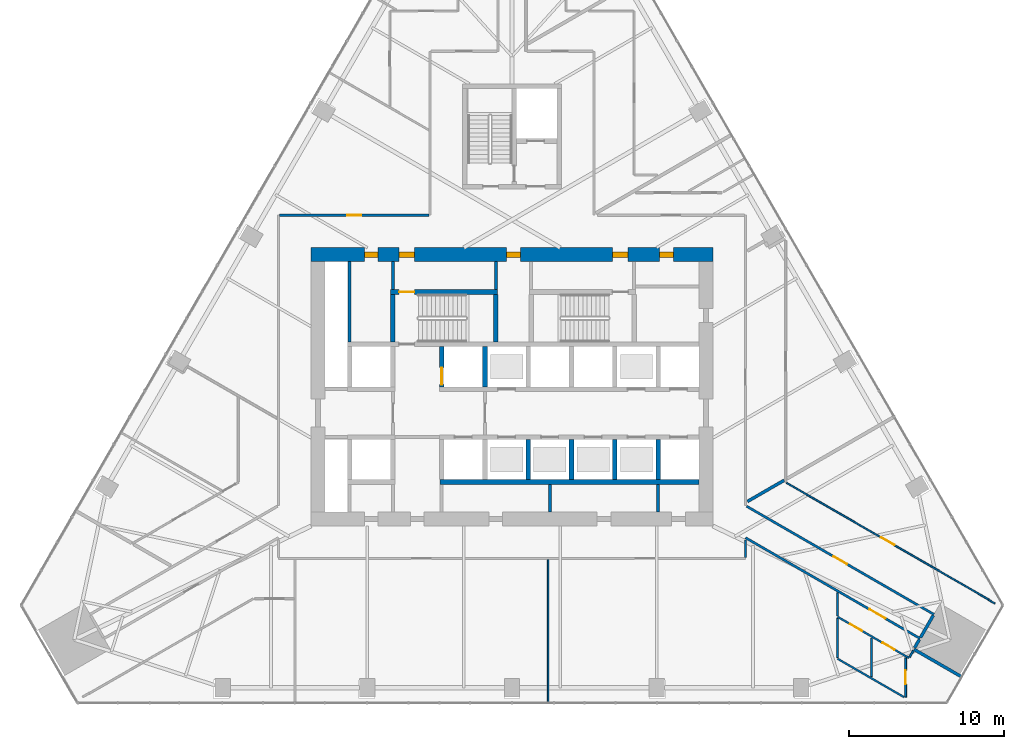
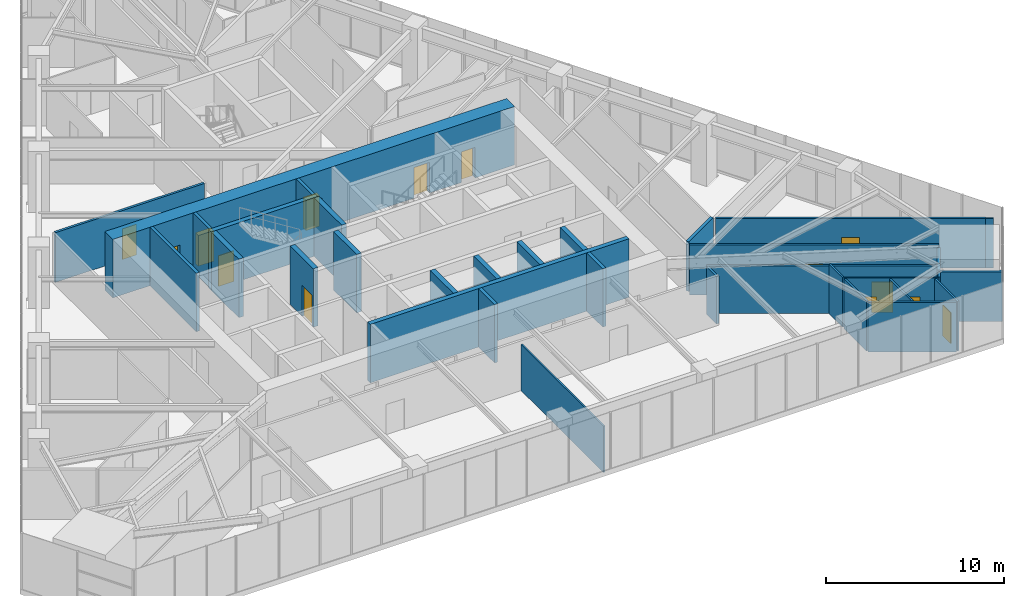
# One storey, part 14 of 19: 34 walls, 14 doors, 14 openings.
"""IFC4 building model written with IfcOpenShell, lengths in metres."""

from ifc_helpers import new_model, si_unit, direction, frame, frame_2d, origin, place, context, subcontext, project, spatial, rectangle, extrude, material, layer, layer_set, type_object, element, fill, save


model = new_model("IFC4")

# Units and contexts
model_context = context("Model", 3, precision=1e-05, world=origin(), true_north=direction((0.0, 1.0)))
body_context = subcontext(model_context, "Body", "Model", "MODEL_VIEW")
ifc_project = project(units=[si_unit("LENGTHUNIT", "METRE"), si_unit("AREAUNIT", "SQUARE_METRE"), si_unit("VOLUMEUNIT", "CUBIC_METRE"), si_unit("PLANEANGLEUNIT", "RADIAN"), si_unit("MASSUNIT", "GRAM", prefix="KILO")], contexts=[model_context])

# Site, building, storey
site_placement = place(None, origin())
site = spatial("IfcSite", under=ifc_project, at=site_placement, CompositionType="ELEMENT")
building_placement = place(site_placement, origin())
building = spatial("IfcBuilding", under=site, at=building_placement, Name="Firuza Gate Tower and Library", CompositionType="ELEMENT")
storey_placement = place(building_placement, frame((0.0, 0.0, 103.0)))
storey = spatial("IfcBuildingStorey", under=building, at=storey_placement, Name="L23", CompositionType="ELEMENT", Elevation=103.0)

# Walls
ifc_material_1 = material(Name="Plasterboard on steel studs", Category="steel")
ifc_layer_1 = layer(ifc_material_1, 0.199951171875)
ifc_layer_set_1 = layer_set([ifc_layer_1], Name="Core partition 200 EI 120")
wall_type_1 = type_object("IfcWallType", Name="Core partition 200 EI 120", PredefinedType="PARTITIONING", material=ifc_layer_set_1)
wall_1_placement = place(storey_placement, frame((64.5, 77.89990234375, 0.0), z_axis=(0.0, 0.0, 1.0), x_axis=(0.0, 1.0, 0.0)))
element("IfcWall", 1, at=wall_1_placement, inside=storey, type_object=wall_type_1, Name="Core partition L23 6", PredefinedType="PARTITIONING", context=body_context, shape_type="SweptSolid", body=[
    extrude(rectangle(XDim=5.2001953125, YDim=0.199951171875, at=frame_2d((2.60009765625, 0.0))), origin(), (0.0, 0.0, 1.0), 4.0),
])
wall_2_placement = place(storey_placement, frame((67.300048828125, 81.280029296875, 0.0), z_axis=(0.0, 0.0, 1.0), x_axis=(0.0, 1.0, 0.0)))
element("IfcWall", 2, at=wall_2_placement, inside=storey, type_object=wall_type_1, Name="Core partition L23 9", PredefinedType="PARTITIONING", context=body_context, shape_type="SweptSolid", body=[
    extrude(rectangle(XDim=1.820068359375, YDim=0.199951171875, at=frame_2d((0.91015625, 0.0))), origin(), (0.0, 0.0, 1.0), 4.0),
])
for number, where, z_axis, x_axis, name in (
    (3, (77.449951171875, 66.89990234375, 0.0), (0.0, 0.0, 1.0), (0.0, 1.0, 0.0), "Core partition L23 14"),
    (4, (84.449951171875, 66.89990234375, 0.0), (0.0, 0.0, 1.0), (0.0, 1.0, 0.0), "Core partition L23 16"),
):
    element("IfcWall", number, at=place(storey_placement, frame(where, z_axis=z_axis, x_axis=x_axis)), inside=storey, type_object=wall_type_1, Name=name, PredefinedType="PARTITIONING", context=body_context, shape_type="SweptSolid", body=[
        extrude(rectangle(XDim=1.800048828125, YDim=0.199951171875, at=frame_2d((0.89990234375, 0.0))), origin(), (0.0, 0.0, 1.0), 4.0),
    ])
ifc_material_2 = material(Name="Plasterboard on steel studs", Category="steel")
ifc_layer_2 = layer(ifc_material_2, 0.199951171875)
ifc_layer_set_2 = layer_set([ifc_layer_2], Name="Core partition 200 EI 60")
wall_type_2 = type_object("IfcWallType", Name="Core partition 200 EI 60", PredefinedType="PARTITIONING", material=ifc_layer_set_2)
wall_3_placement = place(storey_placement, frame((73.9599609375, 81.280029296875, 0.0), z_axis=(0.0, 0.0, 1.0), x_axis=(0.0, 1.0, 0.0)))
element("IfcWall", 5, at=wall_3_placement, inside=storey, type_object=wall_type_2, Name="Core partition L23 12", PredefinedType="PARTITIONING", context=body_context, shape_type="SweptSolid", body=[
    extrude(rectangle(XDim=1.820068359375, YDim=0.199951171875, at=frame_2d((0.91015625, 0.0))), origin(), (0.0, 0.0, 1.0), 4.0),
])
ifc_material_3 = material(Name="Concrete C80/95", Category="concrete")
ifc_layer_3 = layer(ifc_material_3, 0.300048828125)
ifc_layer_set_3 = layer_set([ifc_layer_3], Name="Core wall 300 C80/95")
wall_type_3 = type_object("IfcWallType", Name="Core wall 300 C80/95", PredefinedType="SHEAR", material=ifc_layer_set_3)
wall_4_placement = place(storey_placement, frame((70.35009765625, 68.85009765625, 0.0), z_axis=(0.0, 0.0, 1.0), x_axis=(1.0, 0.0, 0.0)))
element("IfcWall", 6, at=wall_4_placement, inside=storey, type_object=wall_type_3, Name="Core wall L23 6", PredefinedType="SHEAR", context=body_context, shape_type="SweptSolid", body=[
    extrude(rectangle(XDim=16.75, YDim=0.300048828125, at=frame_2d((8.375, 0.0))), origin(), (0.0, 0.0, 1.0), 4.0),
])

# Wall, opening, door
wall_5_placement = place(storey_placement, frame((70.449951171875, 75.0, 0.0), z_axis=(0.0, 0.0, 1.0), x_axis=(0.0, 1.0, 0.0)))
wall_5 = element("IfcWall", 7, at=wall_5_placement, inside=storey, type_object=wall_type_3, Name="Core wall L23 16", PredefinedType="SHEAR", context=body_context, shape_type="SweptSolid", body=[
    extrude(rectangle(XDim=2.60009765625, YDim=0.300048828125, at=frame_2d((1.300048828125, 0.0))), origin(), (0.0, 0.0, 1.0), 4.0),
])
opening_1_placement = place(wall_5_placement, frame((0.14990234375, 0.0, 0.0)))
opening_1 = element("IfcOpeningElement", 8, at=opening_1_placement, cuts=wall_5, Name="Opening LD-FF2-L23", PredefinedType="OPENING", context=body_context, shape_type="SweptSolid", body=[
    extrude(rectangle(XDim=1.10009765625, YDim=2.10009765625, at=frame_2d((0.550048828125, 1.050048828125))), frame((0.0, 0.16015625, 0.0), z_axis=(0.0, -1.0, 0.0), x_axis=(1.0, 0.0, 0.0)), (0.0, 0.0, 1.0), 0.320068359375),
])
ifc_material_4 = material(Name="Stainless steel", Category="steel")
door_type_1 = type_object("IfcDoorType", Name="Lift landing door 1100x2100", OperationType="DOUBLE_DOOR_SLIDING", PredefinedType="DOOR", material=ifc_material_4)
door_1_placement = place(opening_1_placement, origin())
door_1 = element("IfcDoor", 9, at=door_1_placement, inside=storey, type_object=door_type_1, Name="Landing door FF2 L23", OperationType="DOUBLE_DOOR_SLIDING", OverallHeight=2.10009765625, OverallWidth=1.10009765625, PredefinedType="DOOR", context=body_context, shape_type="SweptSolid", body=[
    extrude(rectangle(XDim=1.10009765625, YDim=2.10009765625, at=frame_2d((0.550048828125, 1.050048828125))), frame((0.0, 0.02490234375, 0.0), z_axis=(0.0, -1.0, 0.0), x_axis=(1.0, 0.0, 0.0)), (0.0, 0.0, 1.0), 0.050048828125),
])
fill(opening_1, door_1)

# Walls
for number, where, z_axis, x_axis, name in (
    (10, (73.25, 75.0, 0.0), (0.0, 0.0, 1.0), (0.0, 1.0, 0.0), "Core wall L23 18"),
    (11, (76.050048828125, 69.0, 0.0), (0.0, 0.0, 1.0), (0.0, 1.0, 0.0), "Core wall L23 19"),
    (12, (78.85009765625, 69.0, 0.0), (0.0, 0.0, 1.0), (0.0, 1.0, 0.0), "Core wall L23 21"),
    (13, (81.64990234375, 69.0, 0.0), (0.0, 0.0, 1.0), (0.0, 1.0, 0.0), "Core wall L23 23"),
    (14, (84.449951171875, 69.0, 0.0), (0.0, 0.0, 1.0), (0.0, 1.0, 0.0), "Core wall L23 25"),
):
    element("IfcWall", number, at=place(storey_placement, frame(where, z_axis=z_axis, x_axis=x_axis)), inside=storey, type_object=wall_type_3, Name=name, PredefinedType="SHEAR", context=body_context, shape_type="SweptSolid", body=[
        extrude(rectangle(XDim=2.60009765625, YDim=0.300048828125, at=frame_2d((1.300048828125, 0.0))), origin(), (0.0, 0.0, 1.0), 4.0),
    ])

# Wall, opening, door
wall_6_placement = place(storey_placement, frame((67.14990234375, 81.1298828125, 0.0), z_axis=(0.0, 0.0, 1.0), x_axis=(1.0, 0.0, 0.0)))
wall_6 = element("IfcWall", 15, at=wall_6_placement, inside=storey, type_object=wall_type_3, Name="Core wall L23 28", PredefinedType="SHEAR", context=body_context, shape_type="SweptSolid", body=[
    extrude(rectangle(XDim=6.91015625, YDim=0.300048828125, at=frame_2d((3.455078125, 0.0))), origin(), (0.0, 0.0, 1.0), 4.0),
])
opening_2_placement = place(wall_6_placement, frame((0.544921875, 0.0, 0.0)))
opening_2 = element("IfcOpeningElement", 16, at=opening_2_placement, cuts=wall_6, Name="Opening L23-K13", PredefinedType="OPENING", context=body_context, shape_type="SweptSolid", body=[
    extrude(rectangle(XDim=1.0, YDim=2.10009765625, at=frame_2d((0.5, 1.050048828125))), frame((0.0, 0.16015625, 0.0), z_axis=(0.0, -1.0, 0.0), x_axis=(1.0, 0.0, 0.0)), (0.0, 0.0, 1.0), 0.320068359375),
])
ifc_material_5 = material(Name="Steel", Category="steel")
door_type_2 = type_object("IfcDoorType", Name="Fire door 1000x2100 FD90", OperationType="NOTDEFINED", PredefinedType="DOOR", material=ifc_material_5)
door_2_placement = place(opening_2_placement, origin())
door_2 = element("IfcDoor", 17, at=door_2_placement, inside=storey, type_object=door_type_2, Name="Door L23-K13", OperationType="SINGLE_SWING_RIGHT", OverallHeight=2.10009765625, OverallWidth=1.0, PredefinedType="DOOR", context=body_context, shape_type="SweptSolid", body=[
    extrude(rectangle(XDim=1.0, YDim=2.10009765625, at=frame_2d((0.5, 1.050048828125))), frame((0.0, 0.02490234375, 0.0), z_axis=(0.0, -1.0, 0.0), x_axis=(1.0, 0.0, 0.0)), (0.0, 0.0, 1.0), 0.050048828125),
])
fill(opening_2, door_2)

# Walls
for number, where, z_axis, x_axis, name in (
    (18, (67.300048828125, 77.89990234375, 0.0), (0.0, 0.0, 1.0), (0.0, 1.0, 0.0), "Core wall L23 30"),
    (19, (73.9599609375, 77.89990234375, 0.0), (0.0, 0.0, 1.0), (0.0, 1.0, 0.0), "Core wall L23 31"),
):
    element("IfcWall", number, at=place(storey_placement, frame(where, z_axis=z_axis, x_axis=x_axis)), inside=storey, type_object=wall_type_3, Name=name, PredefinedType="SHEAR", context=body_context, shape_type="SweptSolid", body=[
        extrude(rectangle(XDim=3.080078125, YDim=0.300048828125, at=frame_2d((1.5400390625, 0.0))), origin(), (0.0, 0.0, 1.0), 4.0),
    ])

# Wall, openings, doors
ifc_material_6 = material(Name="Concrete C80/95", Category="concrete")
ifc_layer_4 = layer(ifc_material_6, 0.89990234375)
ifc_layer_set_4 = layer_set([ifc_layer_4], Name="Core wall 900 C80/95")
wall_type_4 = type_object("IfcWallType", Name="Core wall 900 C80/95", PredefinedType="SHEAR", material=ifc_layer_set_4)
wall_7_placement = place(storey_placement, frame((62.0, 83.550048828125, 0.0), z_axis=(0.0, 0.0, 1.0), x_axis=(1.0, 0.0, 0.0)))
wall_7 = element("IfcWall", 20, at=wall_7_placement, inside=storey, type_object=wall_type_4, Name="Core wall L23 2", PredefinedType="SHEAR", context=body_context, shape_type="SweptSolid", body=[
    extrude(rectangle(XDim=26.0, YDim=0.89990234375, at=frame_2d((13.0, 0.0))), origin(), (0.0, 0.0, 1.0), 4.0),
])
opening_3_placement = place(wall_7_placement, frame((5.695068359375, 0.0, 0.0)))
opening_3 = element("IfcOpeningElement", 21, at=opening_3_placement, cuts=wall_7, Name="Opening L23-K14", PredefinedType="OPENING", context=body_context, shape_type="SweptSolid", body=[
    extrude(rectangle(XDim=1.0, YDim=2.10009765625, at=frame_2d((0.5, 1.050048828125))), frame((0.0, 0.4599609375, 0.0), z_axis=(0.0, -1.0, 0.0), x_axis=(1.0, 0.0, 0.0)), (0.0, 0.0, 1.0), 0.919921875),
])
opening_4_placement = place(wall_7_placement, frame((19.5048828125, 0.0, 0.0)))
opening_4 = element("IfcOpeningElement", 22, at=opening_4_placement, cuts=wall_7, Name="Opening L23-K16", PredefinedType="OPENING", context=body_context, shape_type="SweptSolid", body=[
    extrude(rectangle(XDim=1.0, YDim=2.10009765625, at=frame_2d((0.5, 1.050048828125))), frame((0.0, 0.4599609375, 0.0), z_axis=(0.0, -1.0, 0.0), x_axis=(1.0, 0.0, 0.0)), (0.0, 0.0, 1.0), 0.919921875),
])
opening_5_placement = place(wall_7_placement, frame((3.449951171875, 0.0, 0.0)))
opening_5 = element("IfcOpeningElement", 23, at=opening_5_placement, cuts=wall_7, Name="Opening L23-K29", PredefinedType="OPENING", context=body_context, shape_type="SweptSolid", body=[
    extrude(rectangle(XDim=0.89990234375, YDim=2.10009765625, at=frame_2d((0.449951171875, 1.050048828125))), frame((0.0, 0.4599609375, 0.0), z_axis=(0.0, -1.0, 0.0), x_axis=(1.0, 0.0, 0.0)), (0.0, 0.0, 1.0), 0.919921875),
])
opening_6_placement = place(wall_7_placement, frame((12.64990234375, 0.0, 0.0)))
opening_6 = element("IfcOpeningElement", 24, at=opening_6_placement, cuts=wall_7, Name="Opening L23-K30", PredefinedType="OPENING", context=body_context, shape_type="SweptSolid", body=[
    extrude(rectangle(XDim=0.89990234375, YDim=2.10009765625, at=frame_2d((0.449951171875, 1.050048828125))), frame((0.0, 0.4599609375, 0.0), z_axis=(0.0, -1.0, 0.0), x_axis=(1.0, 0.0, 0.0)), (0.0, 0.0, 1.0), 0.919921875),
])
opening_7_placement = place(wall_7_placement, frame((22.550048828125, 0.0, 0.0)))
opening_7 = element("IfcOpeningElement", 25, at=opening_7_placement, cuts=wall_7, Name="Opening L23-K32", PredefinedType="OPENING", context=body_context, shape_type="SweptSolid", body=[
    extrude(rectangle(XDim=0.89990234375, YDim=2.10009765625, at=frame_2d((0.449951171875, 1.050048828125))), frame((0.0, 0.4599609375, 0.0), z_axis=(0.0, -1.0, 0.0), x_axis=(1.0, 0.0, 0.0)), (0.0, 0.0, 1.0), 0.919921875),
])
door_3_placement = place(opening_3_placement, origin())
door_3 = element("IfcDoor", 26, at=door_3_placement, inside=storey, type_object=door_type_2, Name="Door L23-K14", OperationType="SINGLE_SWING_LEFT", OverallHeight=2.10009765625, OverallWidth=1.0, PredefinedType="DOOR", context=body_context, shape_type="SweptSolid", body=[
    extrude(rectangle(XDim=1.0, YDim=2.10009765625, at=frame_2d((0.5, 1.050048828125))), frame((0.0, 0.169921875, 0.0), z_axis=(0.0, -1.0, 0.0), x_axis=(1.0, 0.0, 0.0)), (0.0, 0.0, 1.0), 0.33984375),
])
fill(opening_3, door_3)
door_4_placement = place(opening_4_placement, origin())
door_4 = element("IfcDoor", 27, at=door_4_placement, inside=storey, type_object=door_type_2, Name="Door L23-K16", OperationType="SINGLE_SWING_LEFT", OverallHeight=2.10009765625, OverallWidth=1.0, PredefinedType="DOOR", context=body_context, shape_type="SweptSolid", body=[
    extrude(rectangle(XDim=1.0, YDim=2.10009765625, at=frame_2d((0.5, 1.050048828125))), frame((0.0, 0.169921875, 0.0), z_axis=(0.0, -1.0, 0.0), x_axis=(1.0, 0.0, 0.0)), (0.0, 0.0, 1.0), 0.33984375),
])
fill(opening_4, door_4)
ifc_material_7 = material(Name="Steel", Category="steel")
door_type_3 = type_object("IfcDoorType", Name="Fire door 900x2100 FD30S", OperationType="NOTDEFINED", PredefinedType="DOOR", material=ifc_material_7)
door_5_placement = place(opening_5_placement, origin())
door_5 = element("IfcDoor", 28, at=door_5_placement, inside=storey, type_object=door_type_3, Name="Door L23-K29", OperationType="SINGLE_SWING_RIGHT", OverallHeight=2.10009765625, OverallWidth=0.89990234375, PredefinedType="DOOR", context=body_context, shape_type="SweptSolid", body=[
    extrude(rectangle(XDim=0.89990234375, YDim=2.10009765625, at=frame_2d((0.449951171875, 1.050048828125))), frame((0.0, 0.169921875, 0.0), z_axis=(0.0, -1.0, 0.0), x_axis=(1.0, 0.0, 0.0)), (0.0, 0.0, 1.0), 0.33984375),
])
fill(opening_5, door_5)
door_6_placement = place(opening_6_placement, origin())
door_6 = element("IfcDoor", 29, at=door_6_placement, inside=storey, type_object=door_type_3, Name="Door L23-K30", OperationType="SINGLE_SWING_LEFT", OverallHeight=2.10009765625, OverallWidth=0.89990234375, PredefinedType="DOOR", context=body_context, shape_type="SweptSolid", body=[
    extrude(rectangle(XDim=0.89990234375, YDim=2.10009765625, at=frame_2d((0.449951171875, 1.050048828125))), frame((0.0, 0.169921875, 0.0), z_axis=(0.0, -1.0, 0.0), x_axis=(1.0, 0.0, 0.0)), (0.0, 0.0, 1.0), 0.33984375),
])
fill(opening_6, door_6)
door_7_placement = place(opening_7_placement, origin())
door_7 = element("IfcDoor", 30, at=door_7_placement, inside=storey, type_object=door_type_3, Name="Door L23-K32", OperationType="SINGLE_SWING_LEFT", OverallHeight=2.10009765625, OverallWidth=0.89990234375, PredefinedType="DOOR", context=body_context, shape_type="SweptSolid", body=[
    extrude(rectangle(XDim=0.89990234375, YDim=2.10009765625, at=frame_2d((0.449951171875, 1.050048828125))), frame((0.0, 0.169921875, 0.0), z_axis=(0.0, -1.0, 0.0), x_axis=(1.0, 0.0, 0.0)), (0.0, 0.0, 1.0), 0.33984375),
])
fill(opening_7, door_7)

# Wall, opening, door
ifc_material_8 = material(Name="Gypsum board partition")
ifc_layer_5 = layer(ifc_material_8, 0.14990234375)
ifc_layer_set_5 = layer_set([ifc_layer_5], Name="Corridor wall 150 double board on steel studs")
wall_type_5 = type_object("IfcWallType", Name="Corridor wall 150 double board on steel studs", PredefinedType="PARTITIONING", material=ifc_layer_set_5)
wall_8_placement = place(storey_placement, frame((69.625, 86.10009765625, 0.0), z_axis=(0.0, 0.0, 1.0), x_axis=(-1.0, 0.0, 0.0)))
wall_8 = element("IfcWall", 31, at=wall_8_placement, inside=storey, type_object=wall_type_5, Name="f:L23:w002", PredefinedType="PARTITIONING", context=body_context, shape_type="SweptSolid", body=[
    extrude(rectangle(XDim=9.6494140625, YDim=0.14990234375, at=frame_2d((4.82470703125, 0.0))), origin(), (0.0, 0.0, 1.0), 3.39990234375),
])
opening_8_placement = place(wall_8_placement, frame((4.374755859375, 0.0, 0.0)))
opening_8 = element("IfcOpeningElement", 32, at=opening_8_placement, cuts=wall_8, Name="Opening L23-04", PredefinedType="OPENING", context=body_context, shape_type="SweptSolid", body=[
    extrude(rectangle(XDim=0.89990234375, YDim=2.10009765625, at=frame_2d((0.449951171875, 1.050048828125))), frame((0.0, 0.0849609375, 0.0), z_axis=(0.0, -1.0, 0.0), x_axis=(1.0, 0.0, 0.0)), (0.0, 0.0, 1.0), 0.169921875),
])
ifc_material_9 = material(Name="Steel door and timber leaf", Category="steel")
door_type_4 = type_object("IfcDoorType", Name="Fire door 900 x 2100 steel frame, timber leaf", OperationType="NOTDEFINED", PredefinedType="DOOR", material=ifc_material_9)
door_8_placement = place(opening_8_placement, origin())
door_8 = element("IfcDoor", 33, at=door_8_placement, inside=storey, type_object=door_type_4, Name="f:L23:d004", OperationType="SINGLE_SWING_LEFT", OverallHeight=2.10009765625, OverallWidth=0.89990234375, PredefinedType="DOOR", context=body_context, shape_type="SweptSolid", body=[
    extrude(rectangle(XDim=0.89990234375, YDim=2.10009765625, at=frame_2d((0.449951171875, 1.050048828125))), frame((0.0, 0.02490234375, 0.0), z_axis=(0.0, -1.0, 0.0), x_axis=(1.0, 0.0, 0.0)), (0.0, 0.0, 1.0), 0.050048828125),
])
fill(opening_8, door_8)

# Wall
wall_9_placement = place(storey_placement, frame((90.10009765625, 63.9755859375, 0.0), z_axis=(0.0, 0.0, 1.0), x_axis=(0.0, 1.0, 0.0)))
element("IfcWall", 34, at=wall_9_placement, inside=storey, type_object=wall_type_5, Name="f:L23:w032", PredefinedType="PARTITIONING", context=body_context, shape_type="SweptSolid", body=[
    extrude(rectangle(XDim=1.130615234375, YDim=0.14990234375, at=frame_2d((0.5654296875, 0.0))), origin(), (0.0, 0.0, 1.0), 3.2470703125),
])

# Wall, opening, door
wall_10_placement = place(storey_placement, frame((90.175048828125, 67.278076171875, 0.0), z_axis=(0.0, 0.0, 1.0), x_axis=(0.866025916507, -0.499999111938, 0.0)))
wall_10 = element("IfcWall", 35, at=wall_10_placement, inside=storey, type_object=wall_type_5, Name="f:L23:w059", PredefinedType="PARTITIONING", context=body_context, shape_type="SweptSolid", body=[
    extrude(rectangle(XDim=13.97900390625, YDim=0.14990234375, at=frame_2d((6.989501953125, 0.0))), origin(), (0.0, 0.0, 1.0), 3.39990234375),
])
opening_9_placement = place(wall_10_placement, frame((6.489501953125, 0.0, 0.0)))
opening_9 = element("IfcOpeningElement", 36, at=opening_9_placement, cuts=wall_10, Name="Opening L23-24", PredefinedType="OPENING", context=body_context, shape_type="SweptSolid", body=[
    extrude(rectangle(XDim=1.0, YDim=2.10009765625, at=frame_2d((0.5, 1.050048828125))), frame((0.0, 0.0849609375, 0.0), z_axis=(0.0, -1.0, 0.0), x_axis=(1.0, 0.0, 0.0)), (0.0, 0.0, 1.0), 0.169921875),
])
ifc_material_10 = material(Name="Steel door and timber leaf", Category="steel")
door_type_5 = type_object("IfcDoorType", Name="Fire door 1000 x 2100 steel frame, timber leaf", OperationType="NOTDEFINED", PredefinedType="DOOR", material=ifc_material_10)
door_9_placement = place(opening_9_placement, origin())
door_9 = element("IfcDoor", 37, at=door_9_placement, inside=storey, type_object=door_type_5, Name="f:L23:d024", OperationType="SINGLE_SWING_LEFT", OverallHeight=2.10009765625, OverallWidth=1.0, PredefinedType="DOOR", context=body_context, shape_type="SweptSolid", body=[
    extrude(rectangle(XDim=1.0, YDim=2.10009765625, at=frame_2d((0.5, 1.050048828125))), frame((0.0, 0.02490234375, 0.0), z_axis=(0.0, -1.0, 0.0), x_axis=(1.0, 0.0, 0.0)), (0.0, 0.0, 1.0), 0.050048828125),
])
fill(opening_9, door_9)

wall_11_placement = place(storey_placement, frame((101.381591796875, 58.7294921875, 0.0), z_axis=(0.0, 0.0, 1.0), x_axis=(-0.866023606965, 0.500003112169, 0.0)))
wall_11 = element("IfcWall", 38, at=wall_11_placement, inside=storey, type_object=wall_type_5, Name="f:L23:w060", PredefinedType="PARTITIONING", context=body_context, shape_type="SweptSolid", body=[
    extrude(rectangle(XDim=13.02685546875, YDim=0.14990234375, at=frame_2d((6.513427734375, 0.0))), origin(), (0.0, 0.0, 1.0), 3.2470703125),
])
opening_10_placement = place(wall_11_placement, frame((2.581298828125, 0.0, 0.0)))
opening_10 = element("IfcOpeningElement", 39, at=opening_10_placement, cuts=wall_11, Name="Opening L23-25", PredefinedType="OPENING", context=body_context, shape_type="SweptSolid", body=[
    extrude(rectangle(XDim=1.199951171875, YDim=2.10009765625, at=frame_2d((0.60009765625, 1.050048828125))), frame((0.0, 0.0849609375, 0.0), z_axis=(0.0, -1.0, 0.0), x_axis=(1.0, 0.0, 0.0)), (0.0, 0.0, 1.0), 0.169921875),
])
ifc_material_11 = material(Name="Steel door and timber leaf", Category="steel")
door_type_6 = type_object("IfcDoorType", Name="Fire door 1200 x 2100 steel frame, double leaf", OperationType="NOTDEFINED", PredefinedType="DOOR", material=ifc_material_11)
door_10_placement = place(opening_10_placement, origin())
door_10 = element("IfcDoor", 40, at=door_10_placement, inside=storey, type_object=door_type_6, Name="f:L23:d025", OperationType="DOUBLE_DOOR_SINGLE_SWING", OverallHeight=2.10009765625, OverallWidth=1.199951171875, PredefinedType="DOOR", context=body_context, shape_type="SweptSolid", body=[
    extrude(rectangle(XDim=1.199951171875, YDim=2.10009765625, at=frame_2d((0.60009765625, 1.050048828125))), frame((0.0, 0.02490234375, 0.0), z_axis=(0.0, -1.0, 0.0), x_axis=(1.0, 0.0, 0.0)), (0.0, 0.0, 1.0), 0.050048828125),
])
fill(opening_10, door_10)

# Walls
ifc_material_12 = material(Name="Gypsum board partition")
ifc_layer_6 = layer(ifc_material_12, 0.199951171875)
ifc_layer_set_6 = layer_set([ifc_layer_6], Name="Demising wall 200 acoustic double stud")
wall_type_6 = type_object("IfcWallType", Name="Demising wall 200 acoustic double stud", PredefinedType="PARTITIONING", material=ifc_layer_set_6)
wall_12_placement = place(storey_placement, frame((90.226806640625, 67.589599609375, 0.0), z_axis=(0.0, 0.0, 1.0), x_axis=(0.866003105128, 0.500038620418, 0.0)))
element("IfcWall", 41, at=wall_12_placement, inside=storey, type_object=wall_type_6, Name="f:L23:w011", PredefinedType="PARTITIONING", context=body_context, shape_type="SweptSolid", body=[
    extrude(rectangle(XDim=2.740478515625, YDim=0.199951171875, at=frame_2d((1.3701171875, 0.0))), origin(), (0.0, 0.0, 1.0), 3.39990234375),
])
wall_13_placement = place(storey_placement, frame((101.031494140625, 58.123779296875, 0.0), z_axis=(0.0, 0.0, 1.0), x_axis=(0.500049599607, 0.865996765544, 0.0)))
element("IfcWall", 42, at=wall_13_placement, inside=storey, type_object=wall_type_6, Name="f:L23:w025", PredefinedType="PARTITIONING", context=body_context, shape_type="SweptSolid", body=[
    extrude(rectangle(XDim=0.62451171875, YDim=0.199951171875, at=frame_2d((0.312255859375, 0.0))), origin(), (0.0, 0.0, 1.0), 3.39990234375),
])
wall_14_placement = place(storey_placement, frame((104.064697265625, 56.256591796875, 0.0), z_axis=(0.0, 0.0, 1.0), x_axis=(-0.866034141321, 0.499984865837, 0.0)))
element("IfcWall", 43, at=wall_14_placement, inside=storey, type_object=wall_type_6, Name="f:L23:w061", PredefinedType="PARTITIONING", context=body_context, shape_type="SweptSolid", body=[
    extrude(rectangle(XDim=3.54345703125, YDim=0.199951171875, at=frame_2d((1.771728515625, 0.0))), origin(), (0.0, 0.0, 1.0), 3.39990234375),
])
wall_15_placement = place(storey_placement, frame((101.4189453125, 58.794677734375, 0.0), z_axis=(0.0, 0.0, 1.0), x_axis=(0.499944585209, 0.866057395165, 0.0)))
element("IfcWall", 44, at=wall_15_placement, inside=storey, type_object=wall_type_6, Name="f:L23:w072", PredefinedType="PARTITIONING", context=body_context, shape_type="SweptSolid", body=[
    extrude(rectangle(XDim=1.649169921875, YDim=0.199951171875, at=frame_2d((0.82470703125, 0.0))), origin(), (0.0, 0.0, 1.0), 3.2470703125),
])
ifc_material_13 = material(Name="Gypsum board partition")
ifc_layer_7 = layer(ifc_material_13, 0.10009765625)
ifc_layer_set_7 = layer_set([ifc_layer_7], Name="Partition 100 gypsum board on steel studs")
wall_type_7 = type_object("IfcWallType", Name="Partition 100 gypsum board on steel studs", PredefinedType="PARTITIONING", material=ifc_layer_set_7)
wall_16_placement = place(storey_placement, frame((77.339111328125, 54.5810546875, 0.0), z_axis=(0.0, 0.0, 1.0), x_axis=(0.0, 1.0, 0.0)))
element("IfcWall", 45, at=wall_16_placement, inside=storey, type_object=wall_type_7, Name="f:L23:w038", PredefinedType="PARTITIONING", context=body_context, shape_type="SweptSolid", body=[
    extrude(rectangle(XDim=9.243896484375, YDim=0.10009765625, at=frame_2d((4.6220703125, 0.0))), origin(), (0.0, 0.0, 1.0), 3.1650390625),
])

# Wall, opening, door
wall_17_placement = place(storey_placement, frame((105.833251953125, 61.239990234375, 0.0), z_axis=(0.0, 0.0, 1.0), x_axis=(-0.866025727262, 0.499999439721, 0.0)))
wall_17 = element("IfcWall", 46, at=wall_17_placement, inside=storey, type_object=wall_type_7, Name="f:L23:w057", PredefinedType="PARTITIONING", context=body_context, shape_type="SweptSolid", body=[
    extrude(rectangle(XDim=15.10693359375, YDim=0.10009765625, at=frame_2d((7.553466796875, 0.0))), origin(), (0.0, 0.0, 1.0), 3.39990234375),
])
opening_11_placement = place(wall_17_placement, frame((7.053466796875, 0.0, 0.0)))
opening_11 = element("IfcOpeningElement", 47, at=opening_11_placement, cuts=wall_17, Name="Opening L23-23", PredefinedType="OPENING", context=body_context, shape_type="SweptSolid", body=[
    extrude(rectangle(XDim=1.0, YDim=2.10009765625, at=frame_2d((0.5, 1.050048828125))), frame((0.0, 0.06005859375, 0.0), z_axis=(0.0, -1.0, 0.0), x_axis=(1.0, 0.0, 0.0)), (0.0, 0.0, 1.0), 0.1201171875),
])
ifc_material_14 = material(Name="Timber door", Category="wood")
door_type_7 = type_object("IfcDoorType", Name="Door 1000 x 2100 timber leaf", OperationType="NOTDEFINED", PredefinedType="DOOR", material=ifc_material_14)
door_11_placement = place(opening_11_placement, origin())
door_11 = element("IfcDoor", 48, at=door_11_placement, inside=storey, type_object=door_type_7, Name="f:L23:d023", OperationType="SINGLE_SWING_LEFT", OverallHeight=2.10009765625, OverallWidth=1.0, PredefinedType="DOOR", context=body_context, shape_type="SweptSolid", body=[
    extrude(rectangle(XDim=1.0, YDim=2.10009765625, at=frame_2d((0.5, 1.050048828125))), frame((0.0, 0.02490234375, 0.0), z_axis=(0.0, -1.0, 0.0), x_axis=(1.0, 0.0, 0.0)), (0.0, 0.0, 1.0), 0.050048828125),
])
fill(opening_11, door_11)

# Walls
wall_18_placement = place(storey_placement, frame((106.233154296875, 60.986083984375, 0.0), z_axis=(0.0, 0.0, 1.0), x_axis=(-0.866073792734, 0.499916178513, 0.0)))
element("IfcWall", 49, at=wall_18_placement, inside=storey, type_object=wall_type_7, Name="f:L23:w058", PredefinedType="PARTITIONING", context=body_context, shape_type="SweptSolid", body=[
    extrude(rectangle(XDim=0.47265625, YDim=0.10009765625, at=frame_2d((0.236328125, 0.0))), origin(), (0.0, 0.0, 1.0), 3.39990234375),
])
ifc_material_15 = material(Name="Gypsum board partition")
ifc_layer_8 = layer(ifc_material_15, 0.1201171875)
ifc_layer_set_8 = layer_set([ifc_layer_8], Name="Wet-area partition 120 moisture-resistant board")
wall_type_8 = type_object("IfcWallType", Name="Wet-area partition 120 moisture-resistant board", PredefinedType="PARTITIONING", material=ifc_layer_set_8)
wall_19_placement = place(storey_placement, frame((100.703857421875, 57.51611328125, 0.0), z_axis=(0.0, 0.0, 1.0), x_axis=(0.499679281737, 0.866210491395, 0.0)))
element("IfcWall", 50, at=wall_19_placement, inside=storey, type_object=wall_type_8, Name="f:L23:w024", PredefinedType="PARTITIONING", context=body_context, shape_type="SweptSolid", body=[
    extrude(rectangle(XDim=0.489501953125, YDim=0.1201171875, at=frame_2d((0.24462890625, 0.0))), origin(), (0.0, 0.0, 1.0), 3.39990234375),
])

# Wall, opening, door
wall_20_placement = place(storey_placement, frame((100.449951171875, 54.941162109375, 0.0), z_axis=(0.0, 0.0, 1.0), x_axis=(0.0, 1.0, 0.0)))
wall_20 = element("IfcWall", 51, at=wall_20_placement, inside=storey, type_object=wall_type_8, Name="f:L23:w028", PredefinedType="PARTITIONING", context=body_context, shape_type="SweptSolid", body=[
    extrude(rectangle(XDim=2.542236328125, YDim=0.1201171875, at=frame_2d((1.27099609375, 0.0))), origin(), (0.0, 0.0, 1.0), 3.39990234375),
])
opening_12_placement = place(wall_20_placement, frame((0.821044921875, 0.0, 0.0)))
opening_12 = element("IfcOpeningElement", 52, at=opening_12_placement, cuts=wall_20, Name="Opening L23-15", PredefinedType="OPENING", context=body_context, shape_type="SweptSolid", body=[
    extrude(rectangle(XDim=0.89990234375, YDim=2.10009765625, at=frame_2d((0.449951171875, 1.050048828125))), frame((0.0, 0.070068359375, 0.0), z_axis=(0.0, -1.0, 0.0), x_axis=(1.0, 0.0, 0.0)), (0.0, 0.0, 1.0), 0.14013671875),
])
ifc_material_16 = material(Name="Timber door", Category="wood")
door_type_8 = type_object("IfcDoorType", Name="Door 900 x 2100 timber leaf", OperationType="NOTDEFINED", PredefinedType="DOOR", material=ifc_material_16)
door_12_placement = place(opening_12_placement, origin())
door_12 = element("IfcDoor", 53, at=door_12_placement, inside=storey, type_object=door_type_8, Name="f:L23:d015", OperationType="SINGLE_SWING_RIGHT", OverallHeight=2.10009765625, OverallWidth=0.89990234375, PredefinedType="DOOR", context=body_context, shape_type="SweptSolid", body=[
    extrude(rectangle(XDim=0.89990234375, YDim=2.10009765625, at=frame_2d((0.449951171875, 1.050048828125))), frame((0.0, 0.02490234375, 0.0), z_axis=(0.0, -1.0, 0.0), x_axis=(1.0, 0.0, 0.0)), (0.0, 0.0, 1.0), 0.050048828125),
])
fill(opening_12, door_12)

# Walls
wall_21_placement = place(storey_placement, frame((98.2490234375, 56.259521484375, 0.0), z_axis=(0.0, 0.0, 1.0), x_axis=(0.0, 1.0, 0.0)))
element("IfcWall", 54, at=wall_21_placement, inside=storey, type_object=wall_type_8, Name="f:L23:w029", PredefinedType="PARTITIONING", context=body_context, shape_type="SweptSolid", body=[
    extrude(rectangle(XDim=2.4951171875, YDim=0.1201171875, at=frame_2d((1.24755859375, 0.0))), origin(), (0.0, 0.0, 1.0), 3.39990234375),
])
wall_22_placement = place(storey_placement, frame((96.047119140625, 57.49072265625, 0.0), z_axis=(0.0, 0.0, 1.0), x_axis=(0.0, 1.0, 0.0)))
element("IfcWall", 55, at=wall_22_placement, inside=storey, type_object=wall_type_8, Name="f:L23:w030", PredefinedType="PARTITIONING", context=body_context, shape_type="SweptSolid", body=[
    extrude(rectangle(XDim=2.54052734375, YDim=0.1201171875, at=frame_2d((1.270263671875, 0.0))), origin(), (0.0, 0.0, 1.0), 3.39990234375),
])

# Wall, openings, doors
wall_23_placement = place(storey_placement, frame((96.047119140625, 60.135009765625, 0.0), z_axis=(0.0, 0.0, 1.0), x_axis=(0.866018138487, -0.500012583653, 0.0)))
wall_23 = element("IfcWall", 56, at=wall_23_placement, inside=storey, type_object=wall_type_8, Name="f:L23:w062", PredefinedType="PARTITIONING", context=body_context, shape_type="SweptSolid", body=[
    extrude(rectangle(XDim=5.341552734375, YDim=0.1201171875, at=frame_2d((2.6708984375, 0.0))), origin(), (0.0, 0.0, 1.0), 3.39990234375),
])
opening_13_placement = place(wall_23_placement, frame((0.9228515625, 0.0, 0.0)))
opening_13 = element("IfcOpeningElement", 57, at=opening_13_placement, cuts=wall_23, Name="Opening L23-26", PredefinedType="OPENING", context=body_context, shape_type="SweptSolid", body=[
    extrude(rectangle(XDim=0.89990234375, YDim=2.10009765625, at=frame_2d((0.449951171875, 1.050048828125))), frame((0.0, 0.070068359375, 0.0), z_axis=(0.0, -1.0, 0.0), x_axis=(1.0, 0.0, 0.0)), (0.0, 0.0, 1.0), 0.14013671875),
])
opening_14_placement = place(wall_23_placement, frame((3.363525390625, 0.0, 0.0)))
opening_14 = element("IfcOpeningElement", 58, at=opening_14_placement, cuts=wall_23, Name="Opening L23-27", PredefinedType="OPENING", context=body_context, shape_type="SweptSolid", body=[
    extrude(rectangle(XDim=0.89990234375, YDim=2.10009765625, at=frame_2d((0.449951171875, 1.050048828125))), frame((0.0, 0.070068359375, 0.0), z_axis=(0.0, -1.0, 0.0), x_axis=(1.0, 0.0, 0.0)), (0.0, 0.0, 1.0), 0.14013671875),
])
door_13_placement = place(opening_13_placement, origin())
door_13 = element("IfcDoor", 59, at=door_13_placement, inside=storey, type_object=door_type_8, Name="f:L23:d026", OperationType="SINGLE_SWING_LEFT", OverallHeight=2.10009765625, OverallWidth=0.89990234375, PredefinedType="DOOR", context=body_context, shape_type="SweptSolid", body=[
    extrude(rectangle(XDim=0.89990234375, YDim=2.10009765625, at=frame_2d((0.449951171875, 1.050048828125))), frame((0.0, 0.02490234375, 0.0), z_axis=(0.0, -1.0, 0.0), x_axis=(1.0, 0.0, 0.0)), (0.0, 0.0, 1.0), 0.050048828125),
])
fill(opening_13, door_13)
door_14_placement = place(opening_14_placement, origin())
door_14 = element("IfcDoor", 60, at=door_14_placement, inside=storey, type_object=door_type_8, Name="f:L23:d027", OperationType="SINGLE_SWING_RIGHT", OverallHeight=2.10009765625, OverallWidth=0.89990234375, PredefinedType="DOOR", context=body_context, shape_type="SweptSolid", body=[
    extrude(rectangle(XDim=0.89990234375, YDim=2.10009765625, at=frame_2d((0.449951171875, 1.050048828125))), frame((0.0, 0.02490234375, 0.0), z_axis=(0.0, -1.0, 0.0), x_axis=(1.0, 0.0, 0.0)), (0.0, 0.0, 1.0), 0.050048828125),
])
fill(opening_14, door_14)

# Walls
wall_24_placement = place(storey_placement, frame((100.343017578125, 54.941162109375, 0.0), z_axis=(0.0, 0.0, 1.0), x_axis=(-0.866005271205, 0.500034869029, 0.0)))
element("IfcWall", 61, at=wall_24_placement, inside=storey, type_object=wall_type_8, Name="f:L23:w063", PredefinedType="PARTITIONING", context=body_context, shape_type="SweptSolid", body=[
    extrude(rectangle(XDim=4.960693359375, YDim=0.1201171875, at=frame_2d((2.48046875, 0.0))), origin(), (0.0, 0.0, 1.0), 3.39990234375),
])
wall_25_placement = place(storey_placement, frame((96.047119140625, 60.18701171875, 0.0), z_axis=(0.0, 0.0, 1.0), x_axis=(0.0, 1.0, 0.0)))
element("IfcWall", 62, at=wall_25_placement, inside=storey, type_object=wall_type_8, Name="f:L23:w073", PredefinedType="PARTITIONING", context=body_context, shape_type="SweptSolid", body=[
    extrude(rectangle(XDim=1.49560546875, YDim=0.1201171875, at=frame_2d((0.747802734375, 0.0))), origin(), (0.0, 0.0, 1.0), 3.39990234375),
])

save(model, "model.ifc")
